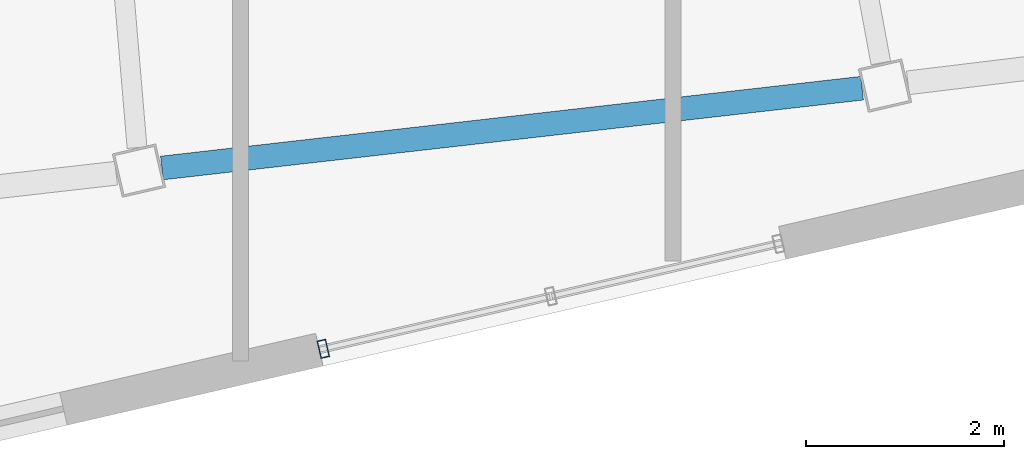
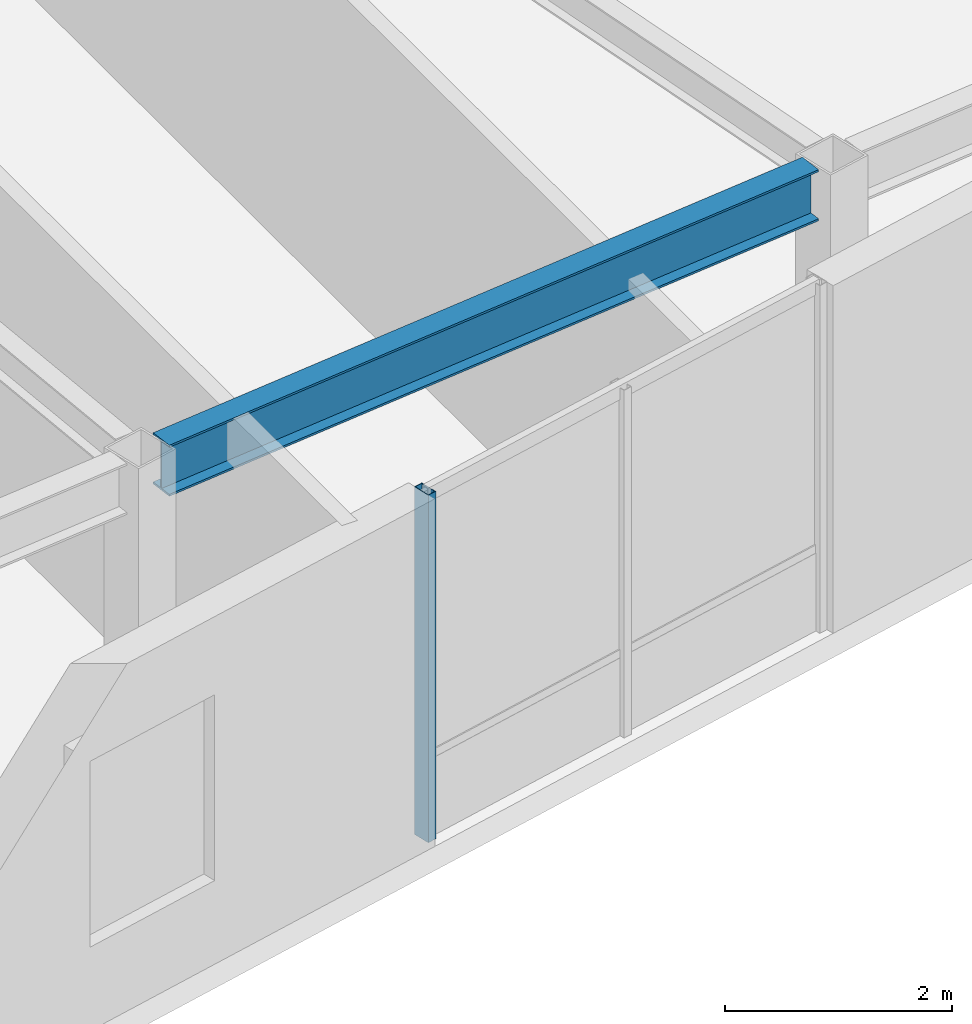
# One storey, part 5 of 23: 1 beam, 1 member, 1 element without a shape of its own.
"""IFC4 building model written with IfcOpenShell, lengths in metres."""

from ifc_helpers import new_model, si_unit, direction, frame, origin, origin_2d, place, context, subcontext, project, spatial, hollow_rectangle, i_section, extrude, material, layer, layer_set, material_profile, profile_set, type_object, element, aggregate, save


model = new_model("IFC4")

# Units and contexts
model_context = context("Model", 3, precision=1e-05, world=origin(), true_north=direction((0.0, 1.0)))
body_context = subcontext(model_context, "Body", "Model", "MODEL_VIEW")
ifc_project = project(units=[si_unit("LENGTHUNIT", "METRE"), si_unit("AREAUNIT", "SQUARE_METRE"), si_unit("VOLUMEUNIT", "CUBIC_METRE"), si_unit("PLANEANGLEUNIT", "RADIAN"), si_unit("MASSUNIT", "GRAM", prefix="KILO")], contexts=[model_context])

# Site, building, storey
site_placement = place(None, origin())
site = spatial("IfcSite", under=ifc_project, at=site_placement, CompositionType="ELEMENT")
building_placement = place(site_placement, origin())
building = spatial("IfcBuilding", under=site, at=building_placement, Name="Tavrogorsk Clinical Tower", CompositionType="ELEMENT")
storey_placement = place(building_placement, frame((0.0, 0.0, 293.0)))
storey = spatial("IfcBuildingStorey", under=building, at=storey_placement, Name="L68", CompositionType="ELEMENT", Elevation=293.0)

# Curtain wall, member
ifc_material_1 = material(Name="Anodised aluminium and triple IGU glazing", Category="aluminium")
ifc_layer = layer(ifc_material_1, 0.179931640625)
ifc_layer_set = layer_set([ifc_layer], Name="Anodised aluminium and triple IGU glazing")
curtain_wall_type = type_object("IfcCurtainWallType", Name="CW3_SouthSlot", PredefinedType="NOTDEFINED", material=ifc_layer_set)
curtain_wall_placement = place(storey_placement, origin())
curtain_wall = element("IfcCurtainWall", 1, at=curtain_wall_placement, inside=storey, type_object=curtain_wall_type, Name="L68 Curtain Wall CW-L68-S-SLOT-1", PredefinedType="NOTDEFINED")
ifc_material_2 = material(Name="Anodised aluminium alloy AW-6060", Category="aluminium")
ifc_material_profile_1 = material_profile(ifc_material_2, hollow_rectangle(XDim=0.090087890625, YDim=0.179931640625, WallThickness=0.00634765625, at=origin_2d()), Name="RHS-180x90x6.3")
ifc_profile_set_1 = profile_set([ifc_material_profile_1], Name="Anodised aluminium alloy AW-6060")
member_type = type_object("IfcMemberType", Name="CwMullion_180x90", PredefinedType="MULLION", material=ifc_profile_set_1)
member_placement = place(storey_placement, frame((-6.93212890625, -25.968994140625, 0.0), z_axis=(0.0, 0.0, 1.0), x_axis=(0.974370057377, 0.224951086434, 0.0)))
member = element("IfcMember", 2, at=member_placement, type_object=member_type, Name="CW-L68-S-SLOT-1 Mullion 1", PredefinedType="MULLION", context=body_context, shape_type="SweptSolid", body=[
    extrude(hollow_rectangle(XDim=0.090087890625, YDim=0.179931640625, WallThickness=0.00634765625, at=origin_2d()), origin(), (0.0, 0.0, 1.0), 3.739990234375),
])
aggregate(curtain_wall, [member])

# Beam
ifc_material_3 = material(Name="Structural steel S390", Category="steel")
ifc_material_profile_2 = material_profile(ifc_material_3, i_section(OverallWidth=0.239990234375, OverallDepth=0.550048828125, WebThickness=0.013916015625, FlangeThickness=0.02197265625, at=origin_2d()), Name="B-550x240x14x22")
ifc_profile_set_2 = profile_set([ifc_material_profile_2], Name="Structural steel S390")
beam_type = type_object("IfcBeamType", Name="SpandrelBeam_B550", PredefinedType="SPANDREL", material=ifc_profile_set_2)
beam_placement = place(storey_placement, frame((-8.5625, -24.14208984375, 3.465087890625), z_axis=(0.993572073137, 0.113201305126, 0.0), x_axis=(-0.113201305126, 0.993572073137, 0.0)))
element("IfcBeam", 3, at=beam_placement, inside=storey, type_object=beam_type, Name="L68 Perimeter Spandrel S3-S4", PredefinedType="SPANDREL", context=body_context, shape_type="SweptSolid", body=[
    extrude(i_section(OverallWidth=0.239990234375, OverallDepth=0.550048828125, WebThickness=0.013916015625, FlangeThickness=0.02197265625, at=origin_2d()), origin(), (0.0, 0.0, 1.0), 7.119140625),
])

save(model, "model.ifc")
